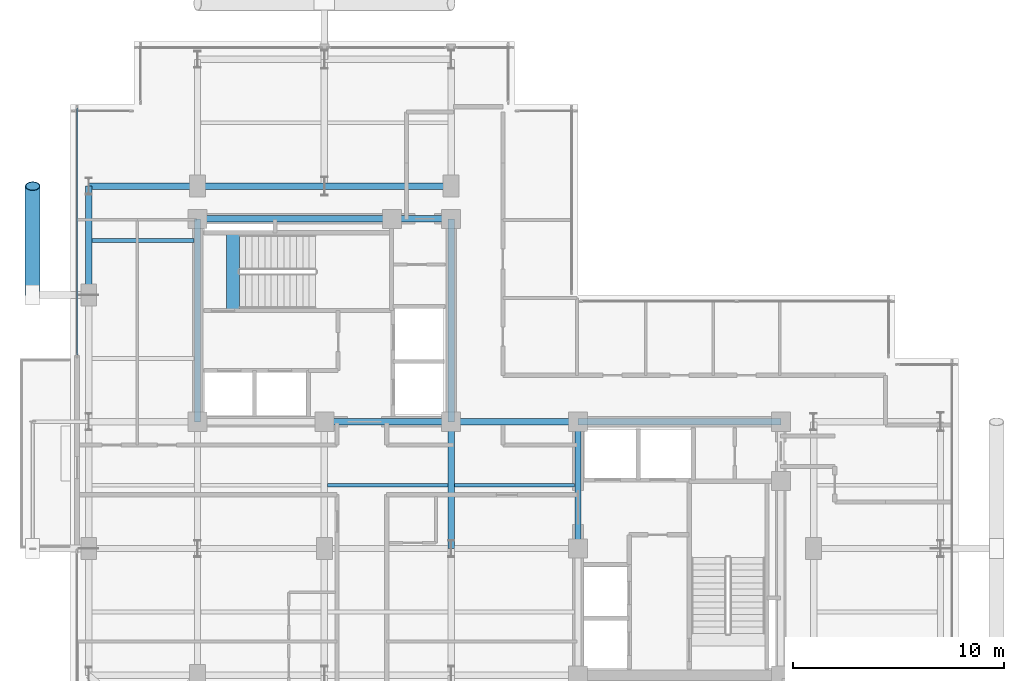
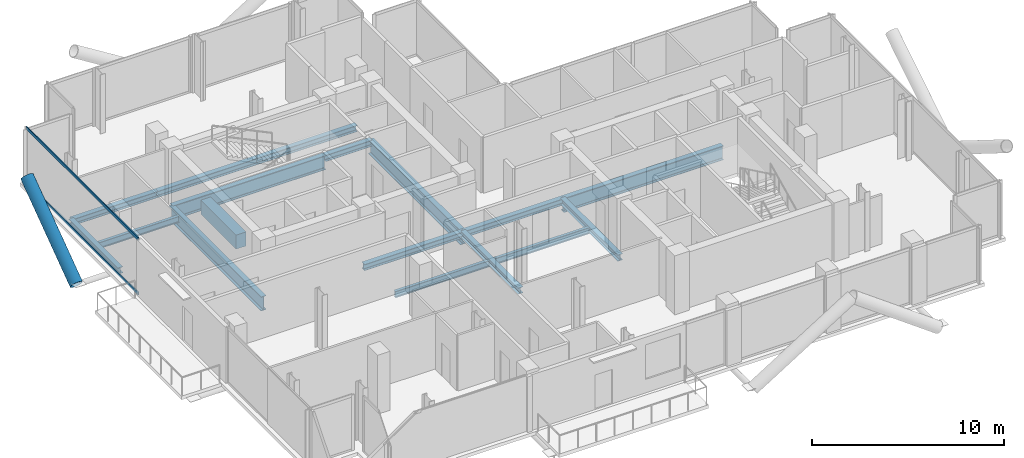
# One storey, part 8 of 21: 17 beams, 3 members, 1 element without a shape of its own.
"""IFC4 building model written with IfcOpenShell, lengths in metres."""

import ifcopenshell
import ifcopenshell.guid

model = None  # the IFC model being written
_history = None  # IfcOwnerHistory: only IFC2X3 demands one
_inside = {}  # id of a spatial element -> (the spatial element, [elements in it])
_under = {}  # id of a project, library or spatial element -> (it, [spatial elements below it])
_declared = {}  # id of a project -> (the project, [libraries it declares])
_typed = {}  # id of a type object -> (the type object, [elements of that type])
_made_of = {}  # id of a material, layer set ... -> (it, [elements and type objects made of it])


def new_model(schema):
    """Start an empty IFC model of exactly this schema.

    Asked for "IFC4X3", IfcOpenShell would pick the latest addendum, in which some entities
    have other attributes; the version numbers below select the first issue.
    IFC2X3 requires an IfcOwnerHistory on every rooted entity: one is made here for all.
    """
    global model, _history
    if schema == "IFC4X3":
        model = ifcopenshell.file(schema_version=(4, 3, 0, 0))
    else:
        model = ifcopenshell.file(schema=schema)
    _inside.clear()
    _under.clear()
    _declared.clear()
    _typed.clear()
    _made_of.clear()
    _history = None
    if model.schema == "IFC2X3":
        org = make("IfcOrganization", Name="unknown")
        user = make(
            "IfcPersonAndOrganization",
            ThePerson=make("IfcPerson", FamilyName="unknown"),
            TheOrganization=org,
        )
        app = make(
            "IfcApplication",
            ApplicationDeveloper=org,
            Version="unknown",
            ApplicationFullName="unknown",
            ApplicationIdentifier="unknown",
        )
        _history = make(
            "IfcOwnerHistory",
            OwningUser=user,
            OwningApplication=app,
            ChangeAction="ADDED",
            CreationDate=0,
        )
    return model


def make(cls, **values):
    """One entity of the class cls with the attributes given. An attribute that is None is left unset."""
    return model.create_entity(
        cls, **{name: value for name, value in values.items() if value is not None}
    )


def rooted(cls, **values):
    """An entity with a GlobalId (a new one), such as an element, a storey or a relation."""
    return make(cls, GlobalId=ifcopenshell.guid.new(), OwnerHistory=_history, **values)


def si_unit(unit_type, name, prefix=None):
    """IfcSIUnit, for example si_unit("LENGTHUNIT", "METRE", prefix="MILLI")."""
    return make("IfcSIUnit", UnitType=unit_type, Prefix=prefix, Name=name)


def assignment(units):
    """IfcUnitAssignment: the units of a project."""
    return None if units is None else make("IfcUnitAssignment", Units=units)


def point(xyz):
    """IfcCartesianPoint."""
    return None if xyz is None else make("IfcCartesianPoint", Coordinates=xyz)


def direction(xyz):
    """IfcDirection."""
    return None if xyz is None else make("IfcDirection", DirectionRatios=xyz)


def frame(location, z_axis=None, x_axis=None):
    """IfcAxis2Placement3D, a coordinate frame: its origin and axes. An axis left out is left unset."""
    return make(
        "IfcAxis2Placement3D",
        Location=point(location),
        Axis=direction(z_axis),
        RefDirection=direction(x_axis),
    )


def frame_2d(location, x_axis=None):
    """IfcAxis2Placement2D, a coordinate frame in the plane: its origin and x axis."""
    return make(
        "IfcAxis2Placement2D", Location=point(location), RefDirection=direction(x_axis)
    )


def origin():
    """The frame at (0, 0, 0) with its axes left unset."""
    return frame((0.0, 0.0, 0.0))


def origin_2d():
    """The frame at (0, 0) in the plane with its x axis left unset."""
    return frame_2d((0.0, 0.0))


def place(relative_to, where):
    """IfcLocalPlacement: puts the frame where relative to a parent placement (None: the world)."""
    return make(
        "IfcLocalPlacement", PlacementRelTo=relative_to, RelativePlacement=where
    )


def context(
    kind, dimensions, precision=None, world=None, true_north=None, identifier=None
):
    """IfcGeometricRepresentationContext, for example the 3D "Model" context."""
    return make(
        "IfcGeometricRepresentationContext",
        ContextIdentifier=identifier,
        ContextType=kind,
        CoordinateSpaceDimension=dimensions,
        Precision=precision,
        WorldCoordinateSystem=world,
        TrueNorth=true_north,
    )


def subcontext(parent, identifier, kind, view, scale=None):
    """IfcGeometricRepresentationSubContext, for example "Body" below "Model"."""
    return make(
        "IfcGeometricRepresentationSubContext",
        ContextIdentifier=identifier,
        ContextType=kind,
        ParentContext=parent,
        TargetScale=scale,
        TargetView=view,
    )


def project(units=None, contexts=None):
    """IfcProject with its units and contexts."""
    return rooted(
        "IfcProject",
        Name="project",
        RepresentationContexts=contexts,
        UnitsInContext=assignment(units),
    )


def spatial(cls, under=None, at=None, **own):
    """A site, building, storey or space (cls), placed at a placement, below another one or the project."""
    s = rooted(cls, ObjectPlacement=at, **own)
    if under is not None:
        _under.setdefault(under.id(), (under, []))[1].append(s)
    return s


def profile(cls, at=None, kind="AREA", **sizes):
    """A parametric profile (cls). Its sizes go by their IFC names, for example OverallWidth=200.0."""
    return make(cls, ProfileType=kind, Position=at, **sizes)


def rectangle(**sizes):
    """IfcRectangleProfileDef."""
    return profile("IfcRectangleProfileDef", **sizes)


def hollow_rectangle(**sizes):
    """IfcRectangleHollowProfileDef."""
    return profile("IfcRectangleHollowProfileDef", **sizes)


def hollow_circle(**sizes):
    """IfcCircleHollowProfileDef."""
    return profile("IfcCircleHollowProfileDef", **sizes)


def i_section(**sizes):
    """IfcIShapeProfileDef."""
    return profile("IfcIShapeProfileDef", **sizes)


def extrude(swept, where, along, depth):
    """IfcExtrudedAreaSolid: the profile swept, set in the frame where, extruded along a direction by depth."""
    return make(
        "IfcExtrudedAreaSolid",
        SweptArea=swept,
        Position=where,
        ExtrudedDirection=direction(along),
        Depth=depth,
    )


def shape(context_of_items, identifier, shape_type, items):
    """IfcShapeRepresentation: the items that make up one representation, for example the "Body"."""
    return make(
        "IfcShapeRepresentation",
        ContextOfItems=context_of_items,
        RepresentationIdentifier=identifier,
        RepresentationType=shape_type,
        Items=items,
    )


def material(Name=None, Category=None):
    """IfcMaterial."""
    return make("IfcMaterial", Name=Name, Category=Category)


def layer(
    of_material, thickness, ventilated=None, Name=None, Category=None, Priority=None
):
    """IfcMaterialLayer: one layer of a wall or slab, of a material (None: an air gap)."""
    return make(
        "IfcMaterialLayer",
        Material=of_material,
        LayerThickness=thickness,
        IsVentilated=ventilated,
        Name=Name,
        Category=Category,
        Priority=Priority,
    )


def layer_set(layers, Name=None):
    """IfcMaterialLayerSet."""
    return make("IfcMaterialLayerSet", MaterialLayers=layers, LayerSetName=Name)


def material_profile(
    of_material, cross_section, Name=None, Category=None, Priority=None
):
    """IfcMaterialProfile: a cross section and its material."""
    return make(
        "IfcMaterialProfile",
        Name=Name,
        Material=of_material,
        Profile=cross_section,
        Priority=Priority,
        Category=Category,
    )


def profile_set(profiles, Name=None, composite=None):
    """IfcMaterialProfileSet."""
    return make(
        "IfcMaterialProfileSet",
        Name=Name,
        MaterialProfiles=profiles,
        CompositeProfile=composite,
    )


def made_of(thing, what):
    """Note that an element or type object is made of a material, layer set ...; save() writes the relation."""
    if what is not None:
        _made_of.setdefault(what.id(), (what, []))[1].append(thing)
    return thing


def type_object(cls, material=None, **own):
    """A type object (cls), such as IfcWallType, which elements share."""
    return made_of(rooted(cls, **own), material)


def element(
    cls,
    number,
    at=None,
    inside=None,
    cuts=None,
    type_object=None,
    material=None,
    context=None,
    identifier="Body",
    shape_type=None,
    held_by="IfcProductDefinitionShape",
    body=None,
    shapes=None,
    **own,
):
    """One element of the class cls, such as IfcWall. Its Tag is "e" and its number.

    at: its placement. inside: the storey or other place that contains it. cuts: it is an
    opening in that element (IfcRelVoidsElement). A single representation is given by context,
    identifier, shape_type and body (its items); several are given by shapes. held_by: the class
    of the entity that holds the representations. save() writes the other relations.
    """
    e = rooted(cls, Tag="e%d" % number, ObjectPlacement=at, **own)
    if body is not None:
        shapes = [shape(context, identifier, shape_type, body)]
    if shapes is not None:
        e.Representation = make(held_by, Representations=shapes)
    if inside is not None:
        _inside.setdefault(inside.id(), (inside, []))[1].append(e)
    if cuts is not None:
        rooted(
            "IfcRelVoidsElement", RelatingBuildingElement=cuts, RelatedOpeningElement=e
        )
    if type_object is not None:
        _typed.setdefault(type_object.id(), (type_object, []))[1].append(e)
    return made_of(e, material)


def aggregate(whole, parts):
    """IfcRelAggregates: a whole, such as a stair, and the parts it consists of."""
    return rooted("IfcRelAggregates", RelatingObject=whole, RelatedObjects=parts)


def save(model, path):
    """Write the relations noted so far, then the file.

    IfcRelAggregates (storeys below a building ...), IfcRelContainedInSpatialStructure (elements
    in a storey), IfcRelDefinesByType, IfcRelAssociatesMaterial and IfcRelDeclares: one each for
    every whole, place, type object, material and project.
    """
    for whole, parts in _under.values():
        aggregate(whole, parts)
    for where, things in _inside.values():
        rooted(
            "IfcRelContainedInSpatialStructure",
            RelatedElements=things,
            RelatingStructure=where,
        )
    for kind, things in _typed.values():
        rooted("IfcRelDefinesByType", RelatedObjects=things, RelatingType=kind)
    for what, things in _made_of.values():
        rooted("IfcRelAssociatesMaterial", RelatedObjects=things, RelatingMaterial=what)
    for by, libraries in _declared.values():
        rooted("IfcRelDeclares", RelatingContext=by, RelatedDefinitions=libraries)
    model.write(path)


model = new_model("IFC4")

# Units and contexts
model_context = context("Model", 3, precision=1e-05, world=origin(), true_north=direction((0.0, 1.0)))
body_context = subcontext(model_context, "Body", "Model", "MODEL_VIEW")
ifc_project = project(units=[si_unit("LENGTHUNIT", "METRE"), si_unit("AREAUNIT", "SQUARE_METRE"), si_unit("VOLUMEUNIT", "CUBIC_METRE"), si_unit("PLANEANGLEUNIT", "RADIAN"), si_unit("MASSUNIT", "GRAM", prefix="KILO"), si_unit("THERMODYNAMICTEMPERATUREUNIT", "KELVIN"), si_unit("POWERUNIT", "WATT")], contexts=[model_context])

# Site, building, storey
site_placement = place(None, origin())
site = spatial("IfcSite", under=ifc_project, at=site_placement, CompositionType="ELEMENT")
building_placement = place(site_placement, origin())
building = spatial("IfcBuilding", under=site, at=building_placement, Name="Svarakhadi Broadcast Tower", CompositionType="ELEMENT")
storey_placement = place(building_placement, frame((0.0, 0.0, 208.64990234375)))
storey = spatial("IfcBuildingStorey", under=building, at=storey_placement, Name="L51", CompositionType="ELEMENT", Elevation=208.64990234375)

# Beams
ifc_material_1 = material(Name="Steel S355J2 (IS 2062 E350C)", Category="steel")
ifc_material_profile_1 = material_profile(ifc_material_1, i_section(OverallWidth=0.179931640625, OverallDepth=0.39990234375, WebThickness=0.008544921875, FlangeThickness=0.013427734375, FilletRadius=0.02099609375, at=origin_2d()), Name="NPB 400x180x66")
ifc_profile_set_1 = profile_set([ifc_material_profile_1], Name="Steel S355J2 (IS 2062 E350C)")
beam_type_1 = type_object("IfcBeamType", Name="Beam_NPB400", PredefinedType="BEAM", material=ifc_profile_set_1)
beam_1_placement = place(storey_placement, frame((1.010009765625, 26.574951171875, -0.409912109375), z_axis=(1.0, 0.0, 0.0), x_axis=(0.0, 1.0, 0.0)))
element("IfcBeam", 1, at=beam_1_placement, inside=storey, type_object=beam_type_1, Name="L51 Secondary Composite Beam SB004", PredefinedType="BEAM", context=body_context, shape_type="SweptSolid", body=[
    extrude(i_section(OverallWidth=0.179931640625, OverallDepth=0.39990234375, WebThickness=0.008544921875, FlangeThickness=0.013427734375, FilletRadius=0.02099609375, at=origin_2d()), origin(), (0.0, 0.0, 1.0), 4.830078125),
])
for number, where, z_axis, x_axis, name in (
    (2, (12.159912109375, 15.0, -0.409912109375), (1.0, 0.0, 0.0), (0.0, 1.0, 0.0), "L51 Secondary Composite Beam SB011"),
    (3, (18.159912109375, 15.0, -0.409912109375), (1.0, 0.0, 0.0), (0.0, 1.0, 0.0), "L51 Secondary Composite Beam SB015"),
):
    element("IfcBeam", number, at=place(storey_placement, frame(where, z_axis=z_axis, x_axis=x_axis)), inside=storey, type_object=beam_type_1, Name=name, PredefinedType="BEAM", context=body_context, shape_type="SweptSolid", body=[
        extrude(i_section(OverallWidth=0.179931640625, OverallDepth=0.39990234375, WebThickness=0.008544921875, FlangeThickness=0.013427734375, FilletRadius=0.02099609375, at=origin_2d()), origin(), (0.0, 0.0, 1.0), 5.68017578125),
    ])

# Curtain wall, members
ifc_material_2 = material(Name="Anodised Bronze Aluminium AA 6063-T6", Category="aluminium")
ifc_layer = layer(ifc_material_2, 0.18994140625)
ifc_layer_set = layer_set([ifc_layer], Name="Anodised Bronze Aluminium AA 6063-T6")
curtain_wall_type = type_object("IfcCurtainWallType", Name="CW_Sys_04", PredefinedType="NOTDEFINED", material=ifc_layer_set)
curtain_wall_placement = place(storey_placement, origin())
curtain_wall = element("IfcCurtainWall", 4, at=curtain_wall_placement, inside=storey, type_object=curtain_wall_type, Name="L51 West Curtain Wall 03", PredefinedType="NOTDEFINED")
ifc_material_profile_2 = material_profile(ifc_material_2, hollow_rectangle(XDim=0.06494140625, YDim=0.175048828125, WallThickness=0.0048828125, at=origin_2d()), Name="ALU TRANSOM 175x65x5")
ifc_profile_set_2 = profile_set([ifc_material_profile_2], Name="Anodised Bronze Aluminium AA 6063-T6")
member_type_1 = type_object("IfcMemberType", Name="CW_Sys_04_Trn", PredefinedType="USERDEFINED", material=ifc_profile_set_2)
member_1_placement = place(storey_placement, frame((0.300048828125, 21.159912109375, 0.03271484375), z_axis=(0.0, 1.0, 0.0), x_axis=(-1.0, 0.0, 0.0)))
member_1 = element("IfcMember", 5, at=member_1_placement, type_object=member_type_1, Name="CW-04 transom 1.1", ObjectType="TRANSOM", PredefinedType="USERDEFINED", context=body_context, shape_type="SweptSolid", body=[
    extrude(hollow_rectangle(XDim=0.06494140625, YDim=0.175048828125, WallThickness=0.0048828125, at=origin_2d()), origin(), (0.0, 0.0, 1.0), 11.68017578125),
])
member_2_placement = place(storey_placement, frame((0.300048828125, 21.159912109375, 3.507568359375), z_axis=(0.0, 1.0, 0.0), x_axis=(-1.0, 0.0, 0.0)))
member_2 = element("IfcMember", 6, at=member_2_placement, type_object=member_type_1, Name="CW-04 transom 1.2", ObjectType="TRANSOM", PredefinedType="USERDEFINED", context=body_context, shape_type="SweptSolid", body=[
    extrude(hollow_rectangle(XDim=0.06494140625, YDim=0.175048828125, WallThickness=0.0048828125, at=origin_2d()), origin(), (0.0, 0.0, 1.0), 11.68017578125),
])
aggregate(curtain_wall, [member_1, member_2])

# Beam
ifc_material_3 = material(Name="Concrete C50/60 (IS 456 M60)", Category="concrete")
ifc_material_profile_3 = material_profile(ifc_material_3, rectangle(XDim=0.60009765625, YDim=0.89990234375, at=origin_2d()), Name="RC 600x900")
ifc_profile_set_3 = profile_set([ifc_material_profile_3], Name="Concrete C50/60 (IS 456 M60)")
beam_type_2 = type_object("IfcBeamType", Name="Coupling_RC600", PredefinedType="USERDEFINED", material=ifc_profile_set_3)
beam_2_placement = place(storey_placement, frame((7.679931640625, 23.260009765625, -0.449951171875), z_axis=(0.0, 1.0, 0.0), x_axis=(-1.0, 0.0, 0.0)))
element("IfcBeam", 7, at=beam_2_placement, inside=storey, type_object=beam_type_2, Name="L51 Stair ST-01 Landing Throat Trimmer Beam CB-01", ObjectType="GIRDER", PredefinedType="USERDEFINED", context=body_context, shape_type="SweptSolid", body=[
    extrude(rectangle(XDim=0.60009765625, YDim=0.89990234375, at=origin_2d()), origin(), (0.0, 0.0, 1.0), 3.679931640625),
])

# Member
ifc_material_4 = material(Name="Steel S460ML (IS 2062 E450BR)", Category="steel")
ifc_material_profile_4 = material_profile(ifc_material_4, hollow_circle(Radius=0.35546875, WallThickness=0.034912109375, at=origin_2d()), Name="CHS 711x35")
ifc_profile_set_4 = profile_set([ifc_material_profile_4], Name="Steel S460ML (IS 2062 E450BR)")
member_type_2 = type_object("IfcMemberType", Name="Exo_Brace_CHS711", PredefinedType="BRACE", material=ifc_profile_set_4)
member_3_placement = place(storey_placement, frame((-1.800048828125, 24.0, -0.371826171875), z_axis=(0.0, 0.808391243061, 0.588645562407), x_axis=(-1.0, 0.0, 0.0)))
element("IfcMember", 8, at=member_3_placement, inside=storey, type_object=member_type_2, Name="L51 Exposed Bronze Exoskeleton Diagonal W03", PredefinedType="BRACE", context=body_context, shape_type="SweptSolid", body=[
    extrude(hollow_circle(Radius=0.35546875, WallThickness=0.034912109375, at=origin_2d()), origin(), (0.0, 0.0, 1.0), 6.37060546875),
])

# Beams
ifc_material_profile_5 = material_profile(ifc_material_1, i_section(OverallWidth=0.300048828125, OverallDepth=0.39990234375, WebThickness=0.013427734375, FlangeThickness=0.02392578125, FilletRadius=0.027099609375, at=origin_2d()), Name="WPB 400x300x155")
ifc_profile_set_5 = profile_set([ifc_material_profile_5], Name="Steel S355J2 (IS 2062 E350C)")
beam_type_3 = type_object("IfcBeamType", Name="Girder_WPB400", PredefinedType="USERDEFINED", material=ifc_profile_set_5)
for number, where, z_axis, x_axis, name in (
    (9, (12.0, 18.0, -0.409912109375), (1.0, 0.0, 0.0), (0.0, 1.0, 0.0), "L51 Primary E-W Girder G022"),
    (10, (18.0, 18.0, -0.409912109375), (1.0, 0.0, 0.0), (0.0, 1.0, 0.0), "L51 Primary E-W Girder G023"),
):
    element("IfcBeam", number, at=place(storey_placement, frame(where, z_axis=z_axis, x_axis=x_axis)), inside=storey, type_object=beam_type_3, Name=name, ObjectType="GIRDER", PredefinedType="USERDEFINED", context=body_context, shape_type="SweptSolid", body=[
        extrude(i_section(OverallWidth=0.300048828125, OverallDepth=0.39990234375, WebThickness=0.013427734375, FlangeThickness=0.02392578125, FilletRadius=0.027099609375, at=origin_2d()), origin(), (0.0, 0.0, 1.0), 6.0),
    ])
beam_3_placement = place(storey_placement, frame((15.199951171875, 27.60009765625, -0.409912109375), z_axis=(1.0, 0.0, 0.0), x_axis=(0.0, 1.0, 0.0)))
element("IfcBeam", 11, at=beam_3_placement, inside=storey, type_object=beam_type_3, Name="L51 Primary E-W Girder G027", ObjectType="GIRDER", PredefinedType="USERDEFINED", context=body_context, shape_type="SweptSolid", body=[
    extrude(i_section(OverallWidth=0.300048828125, OverallDepth=0.39990234375, WebThickness=0.013427734375, FlangeThickness=0.02392578125, FilletRadius=0.027099609375, at=origin_2d()), origin(), (0.0, 0.0, 1.0), 2.800048828125),
])
beam_4_placement = place(storey_placement, frame((0.85009765625, 29.14990234375, -0.409912109375), z_axis=(1.0, 0.0, 0.0), x_axis=(0.0, 1.0, 0.0)))
element("IfcBeam", 12, at=beam_4_placement, inside=storey, type_object=beam_type_3, Name="L51 Primary E-W Girder G028", ObjectType="GIRDER", PredefinedType="USERDEFINED", context=body_context, shape_type="SweptSolid", body=[
    extrude(i_section(OverallWidth=0.300048828125, OverallDepth=0.39990234375, WebThickness=0.013427734375, FlangeThickness=0.02392578125, FilletRadius=0.027099609375, at=origin_2d()), origin(), (0.0, 0.0, 1.0), 5.14990234375),
])
for number, where, z_axis, x_axis, name in (
    (13, (6.0, 29.14990234375, -0.409912109375), (1.0, 0.0, 0.0), (0.0, 1.0, 0.0), "L51 Primary E-W Girder G029"),
    (14, (12.0, 29.14990234375, -0.409912109375), (1.0, 0.0, 0.0), (0.0, 1.0, 0.0), "L51 Primary E-W Girder G030"),
):
    element("IfcBeam", number, at=place(storey_placement, frame(where, z_axis=z_axis, x_axis=x_axis)), inside=storey, type_object=beam_type_3, Name=name, ObjectType="GIRDER", PredefinedType="USERDEFINED", context=body_context, shape_type="SweptSolid", body=[
        extrude(i_section(OverallWidth=0.300048828125, OverallDepth=0.39990234375, WebThickness=0.013427734375, FlangeThickness=0.02392578125, FilletRadius=0.027099609375, at=origin_2d()), origin(), (0.0, 0.0, 1.0), 6.0),
    ])
beam_5_placement = place(storey_placement, frame((0.85009765625, 24.0, -0.409912109375), z_axis=(0.0, 1.0, 0.0), x_axis=(-1.0, 0.0, 0.0)))
element("IfcBeam", 15, at=beam_5_placement, inside=storey, type_object=beam_type_3, Name="L51 Primary N-S Girder G036", ObjectType="GIRDER", PredefinedType="USERDEFINED", context=body_context, shape_type="SweptSolid", body=[
    extrude(i_section(OverallWidth=0.300048828125, OverallDepth=0.39990234375, WebThickness=0.013427734375, FlangeThickness=0.02392578125, FilletRadius=0.027099609375, at=origin_2d()), origin(), (0.0, 0.0, 1.0), 5.14990234375),
])
for number, where, z_axis, x_axis, name in (
    (16, (18.0, 12.0, -0.409912109375), (0.0, 1.0, 0.0), (-1.0, 0.0, 0.0), "L51 Primary N-S Girder G048"),
    (17, (24.0, 12.0, -0.409912109375), (0.0, 1.0, 0.0), (-1.0, 0.0, 0.0), "L51 Primary N-S Girder G053"),
):
    element("IfcBeam", number, at=place(storey_placement, frame(where, z_axis=z_axis, x_axis=x_axis)), inside=storey, type_object=beam_type_3, Name=name, ObjectType="GIRDER", PredefinedType="USERDEFINED", context=body_context, shape_type="SweptSolid", body=[
        extrude(i_section(OverallWidth=0.300048828125, OverallDepth=0.39990234375, WebThickness=0.013427734375, FlangeThickness=0.02392578125, FilletRadius=0.027099609375, at=origin_2d()), origin(), (0.0, 0.0, 1.0), 6.0),
    ])
ifc_material_profile_6 = material_profile(ifc_material_4, i_section(OverallWidth=0.300048828125, OverallDepth=0.89990234375, WebThickness=0.0185546875, FlangeThickness=0.034912109375, FilletRadius=0.030029296875, at=origin_2d()), Name="WPB 900x300x291")
ifc_profile_set_6 = profile_set([ifc_material_profile_6], Name="Steel S460ML (IS 2062 E450BR)")
beam_type_4 = type_object("IfcBeamType", Name="Girder_WPB900", PredefinedType="USERDEFINED", material=ifc_profile_set_6)
beam_6_placement = place(storey_placement, frame((24.0, 18.0, -0.659912109375), z_axis=(1.0, 0.0, 0.0), x_axis=(0.0, 1.0, 0.0)))
element("IfcBeam", 18, at=beam_6_placement, inside=storey, type_object=beam_type_4, Name="L51 Primary E-W Girder G024", ObjectType="GIRDER", PredefinedType="USERDEFINED", context=body_context, shape_type="SweptSolid", body=[
    extrude(i_section(OverallWidth=0.300048828125, OverallDepth=0.89990234375, WebThickness=0.0185546875, FlangeThickness=0.034912109375, FilletRadius=0.030029296875, at=origin_2d()), origin(), (0.0, 0.0, 1.0), 9.60009765625),
])
beam_7_placement = place(storey_placement, frame((6.0, 27.60009765625, -0.659912109375), z_axis=(1.0, 0.0, 0.0), x_axis=(0.0, 1.0, 0.0)))
element("IfcBeam", 19, at=beam_7_placement, inside=storey, type_object=beam_type_4, Name="L51 Primary E-W Girder G026", ObjectType="GIRDER", PredefinedType="USERDEFINED", context=body_context, shape_type="SweptSolid", body=[
    extrude(i_section(OverallWidth=0.300048828125, OverallDepth=0.89990234375, WebThickness=0.0185546875, FlangeThickness=0.034912109375, FilletRadius=0.030029296875, at=origin_2d()), origin(), (0.0, 0.0, 1.0), 9.199951171875),
])
for number, where, z_axis, x_axis, name in (
    (20, (6.0, 18.0, -0.659912109375), (0.0, 1.0, 0.0), (-1.0, 0.0, 0.0), "L51 Primary N-S Girder G040"),
    (21, (18.0, 18.0, -0.659912109375), (0.0, 1.0, 0.0), (-1.0, 0.0, 0.0), "L51 Primary N-S Girder G049"),
):
    element("IfcBeam", number, at=place(storey_placement, frame(where, z_axis=z_axis, x_axis=x_axis)), inside=storey, type_object=beam_type_4, Name=name, ObjectType="GIRDER", PredefinedType="USERDEFINED", context=body_context, shape_type="SweptSolid", body=[
        extrude(i_section(OverallWidth=0.300048828125, OverallDepth=0.89990234375, WebThickness=0.0185546875, FlangeThickness=0.034912109375, FilletRadius=0.030029296875, at=origin_2d()), origin(), (0.0, 0.0, 1.0), 9.60009765625),
    ])

save(model, "model.ifc")
